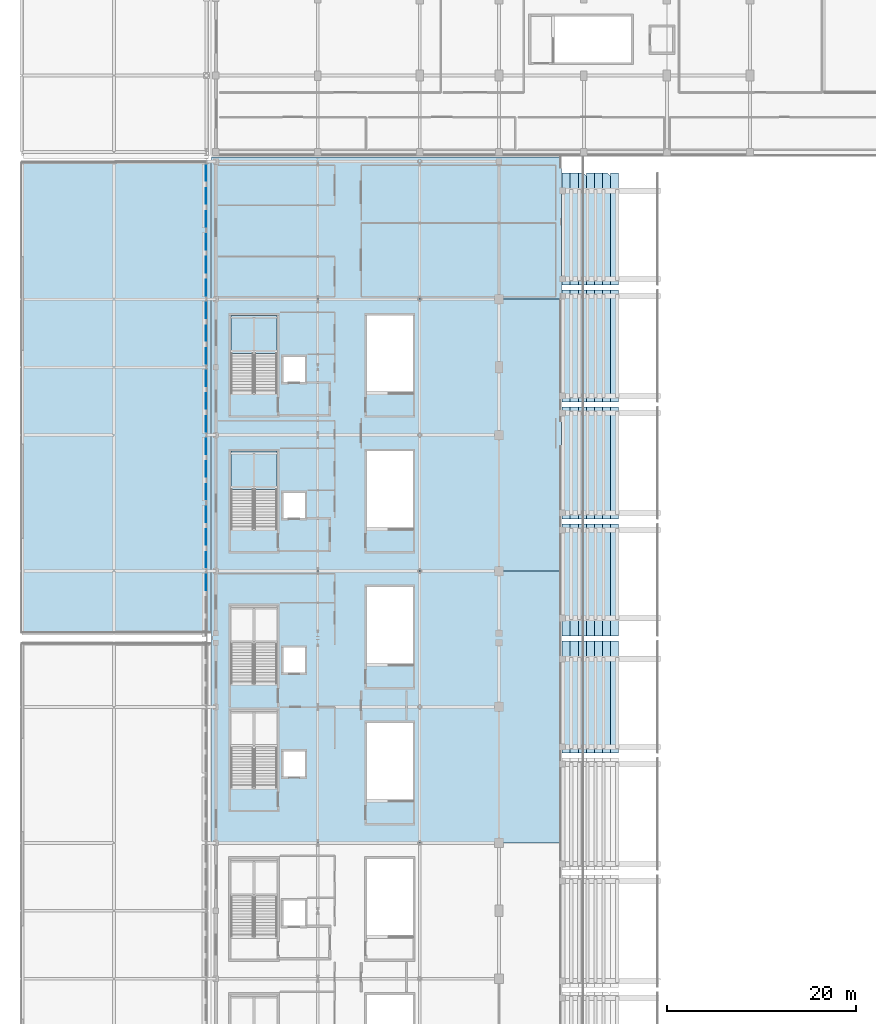
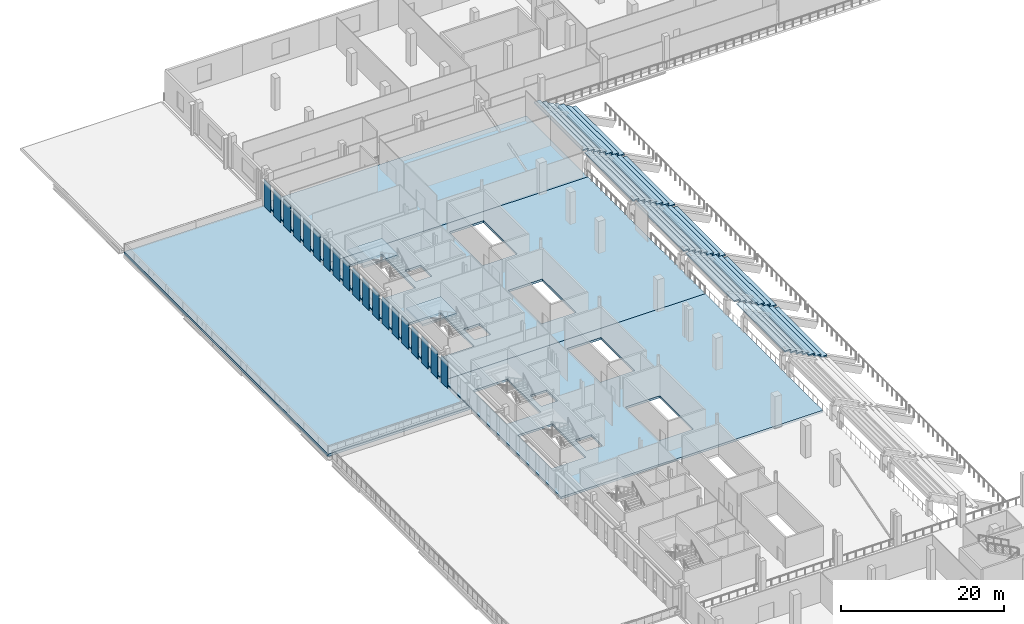
# One storey, part 23 of 74: 41 slabs, 19 plates, 2 elements without a shape of their own.
"""IFC4 building model written with IfcOpenShell, lengths in metres."""

from ifc_helpers import new_model, si_unit, direction, frame, origin, origin_2d, place, context, subcontext, project, spatial, polyline, rectangle, outline, extrude, material, layer, layer_set, type_object, element, aggregate, save


model = new_model("IFC4")

# Units and contexts
model_context = context("Model", 3, precision=1e-05, world=origin(), true_north=direction((0.0, 1.0)))
body_context = subcontext(model_context, "Body", "Model", "MODEL_VIEW")
ifc_project = project(units=[si_unit("LENGTHUNIT", "METRE"), si_unit("AREAUNIT", "SQUARE_METRE"), si_unit("VOLUMEUNIT", "CUBIC_METRE"), si_unit("PLANEANGLEUNIT", "RADIAN"), si_unit("MASSUNIT", "GRAM", prefix="KILO")], contexts=[model_context])

# Site, building, storey
site_placement = place(None, origin())
site = spatial("IfcSite", under=ifc_project, at=site_placement, CompositionType="ELEMENT")
building_placement = place(site_placement, origin())
building = spatial("IfcBuilding", under=site, at=building_placement, Name="Koshinbarg Plaza Stadium", CompositionType="ELEMENT")
storey_placement = place(building_placement, frame((0.0, 0.0, 15.0)))
storey = spatial("IfcBuildingStorey", under=building, at=storey_placement, Name="L03", CompositionType="ELEMENT", Elevation=15.0)

# Plates
ifc_material_1 = material(Name="Off-white mineral-coated perforated aluminium screen panel", Category="aluminium")
ifc_layer_1 = layer(ifc_material_1, 0.050048828125)
ifc_layer_set_1 = layer_set([ifc_layer_1], Name="Off-white mineral-coated perforated aluminium screen panel")
plate_type_1 = type_object("IfcPlateType", Name="PLT-SCR-50", PredefinedType="USERDEFINED", material=ifc_layer_set_1)
for number, where, z_axis, x_axis, name in (
    (1, (23.580078125, 81.89990234375, 0.2001953125), (0.0, 0.0, 1.0), (1.0, 0.0, 0.0), "L03 off-white leaf-pierced outer screen panel 024"),
    (2, (23.580078125, 86.699951171875, 0.2001953125), (0.0, 0.0, 1.0), (1.0, 0.0, 0.0), "L03 off-white leaf-pierced outer screen panel 026"),
    (3, (23.580078125, 91.5, 0.2001953125), (0.0, 0.0, 1.0), (1.0, 0.0, 0.0), "L03 off-white leaf-pierced outer screen panel 028"),
    (4, (23.580078125, 96.300048828125, 0.2001953125), (0.0, 0.0, 1.0), (1.0, 0.0, 0.0), "L03 off-white leaf-pierced outer screen panel 030"),
    (5, (23.580078125, 101.10009765625, 0.2001953125), (0.0, 0.0, 1.0), (1.0, 0.0, 0.0), "L03 off-white leaf-pierced outer screen panel 032"),
    (6, (23.580078125, 105.89990234375, 0.2001953125), (0.0, 0.0, 1.0), (1.0, 0.0, 0.0), "L03 off-white leaf-pierced outer screen panel 034"),
    (7, (23.580078125, 110.699951171875, 0.2001953125), (0.0, 0.0, 1.0), (1.0, 0.0, 0.0), "L03 off-white leaf-pierced outer screen panel 036"),
):
    element("IfcPlate", number, at=place(storey_placement, frame(where, z_axis=z_axis, x_axis=x_axis)), inside=storey, type_object=plate_type_1, Name=name, ObjectType="SCREEN PANEL", PredefinedType="USERDEFINED", context=body_context, shape_type="SweptSolid", body=[
        extrude(rectangle(XDim=0.050048828125, YDim=1.632080078125, at=origin_2d()), origin(), (0.0, 0.0, 1.0), 4.030029296875),
    ])
for number, where, z_axis, x_axis, name in (
    (8, (23.580078125, 115.550048828125, 0.2001953125), (0.0, 0.0, 1.0), (1.0, 0.0, 0.0), "L03 off-white leaf-pierced outer screen panel 038"),
    (9, (23.580078125, 120.416748046875, 0.2001953125), (0.0, 0.0, 1.0), (1.0, 0.0, 0.0), "L03 off-white leaf-pierced outer screen panel 040"),
    (10, (23.580078125, 125.283203125, 0.2001953125), (0.0, 0.0, 1.0), (1.0, 0.0, 0.0), "L03 off-white leaf-pierced outer screen panel 042"),
):
    element("IfcPlate", number, at=place(storey_placement, frame(where, z_axis=z_axis, x_axis=x_axis)), inside=storey, type_object=plate_type_1, Name=name, ObjectType="SCREEN PANEL", PredefinedType="USERDEFINED", context=body_context, shape_type="SweptSolid", body=[
        extrude(rectangle(XDim=0.050048828125, YDim=1.65478515625, at=origin_2d()), origin(), (0.0, 0.0, 1.0), 4.030029296875),
    ])
ifc_material_2 = material(Name="Off-white mineral-coated leaf-aperture GRC screen panel")
ifc_layer_2 = layer(ifc_material_2, 0.06005859375)
ifc_layer_set_2 = layer_set([ifc_layer_2], Name="Off-white mineral-coated leaf-aperture GRC screen panel")
plate_type_2 = type_object("IfcPlateType", Name="PLT-SCR-60", PredefinedType="USERDEFINED", material=ifc_layer_set_2)
for number, where, z_axis, x_axis, name in (
    (11, (23.574951171875, 84.300048828125, 0.2001953125), (0.0, 0.0, 1.0), (1.0, 0.0, 0.0), "L03 off-white leaf-pierced outer screen panel 025"),
    (12, (23.574951171875, 89.10009765625, 0.2001953125), (0.0, 0.0, 1.0), (1.0, 0.0, 0.0), "L03 off-white leaf-pierced outer screen panel 027"),
    (13, (23.574951171875, 93.89990234375, 0.2001953125), (0.0, 0.0, 1.0), (1.0, 0.0, 0.0), "L03 off-white leaf-pierced outer screen panel 029"),
    (14, (23.574951171875, 98.699951171875, 0.2001953125), (0.0, 0.0, 1.0), (1.0, 0.0, 0.0), "L03 off-white leaf-pierced outer screen panel 031"),
    (15, (23.574951171875, 103.5, 0.2001953125), (0.0, 0.0, 1.0), (1.0, 0.0, 0.0), "L03 off-white leaf-pierced outer screen panel 033"),
    (16, (23.574951171875, 108.300048828125, 0.2001953125), (0.0, 0.0, 1.0), (1.0, 0.0, 0.0), "L03 off-white leaf-pierced outer screen panel 035"),
):
    element("IfcPlate", number, at=place(storey_placement, frame(where, z_axis=z_axis, x_axis=x_axis)), inside=storey, type_object=plate_type_2, Name=name, ObjectType="SCREEN PANEL", PredefinedType="USERDEFINED", context=body_context, shape_type="SweptSolid", body=[
        extrude(rectangle(XDim=0.06005859375, YDim=1.632080078125, at=origin_2d()), origin(), (0.0, 0.0, 1.0), 4.030029296875),
    ])
for number, where, z_axis, x_axis, name in (
    (17, (23.574951171875, 113.11669921875, 0.2001953125), (0.0, 0.0, 1.0), (1.0, 0.0, 0.0), "L03 off-white leaf-pierced outer screen panel 037"),
    (18, (23.574951171875, 117.9833984375, 0.2001953125), (0.0, 0.0, 1.0), (1.0, 0.0, 0.0), "L03 off-white leaf-pierced outer screen panel 039"),
    (19, (23.574951171875, 122.85009765625, 0.2001953125), (0.0, 0.0, 1.0), (1.0, 0.0, 0.0), "L03 off-white leaf-pierced outer screen panel 041"),
):
    element("IfcPlate", number, at=place(storey_placement, frame(where, z_axis=z_axis, x_axis=x_axis)), inside=storey, type_object=plate_type_2, Name=name, ObjectType="SCREEN PANEL", PredefinedType="USERDEFINED", context=body_context, shape_type="SweptSolid", body=[
        extrude(rectangle(XDim=0.06005859375, YDim=1.65478515625, at=origin_2d()), origin(), (0.0, 0.0, 1.0), 4.030029296875),
    ])

# Slabs
ifc_material_3 = material(Name="Concrete C35/45", Category="concrete")
ifc_layer_3 = layer(ifc_material_3, 0.320068359375)
ifc_layer_set_3 = layer_set([ifc_layer_3], Name="Concrete C35/45")
slab_type_1 = type_object("IfcSlabType", Name="SL-FLR-320", PredefinedType="FLOOR", material=ifc_layer_set_3)
slab_1_placement = place(storey_placement, frame((0.0, 0.0, -0.320068359375)))
element("IfcSlab", 20, at=slab_1_placement, inside=storey, type_object=slab_type_1, Name="L03 V1 structural slab 2", PredefinedType="FLOOR", context=body_context, shape_type="SweptSolid", body=[
    extrude(outline(polyline([(24.14501953125, 54.300048828125), (61.199951171875, 54.300048828125), (61.199951171875, 83.10009765625), (24.14501953125, 83.10009765625), (24.14501953125, 54.300048828125)]), holes=[polyline([(31.070068359375, 60.159912109375), (31.070068359375, 68.39990234375), (26.199951171875, 68.39990234375), (26.199951171875, 60.159912109375), (31.070068359375, 60.159912109375)]), polyline([(31.75, 61.300048828125), (34.050048828125, 61.300048828125), (34.050048828125, 64.0), (31.75, 64.0), (31.75, 61.300048828125)]), polyline([(31.070068359375, 71.159912109375), (31.070068359375, 79.39990234375), (26.199951171875, 79.39990234375), (26.199951171875, 71.159912109375), (31.070068359375, 71.159912109375)]), polyline([(31.75, 72.300048828125), (34.050048828125, 72.300048828125), (34.050048828125, 75.0), (31.75, 75.0), (31.75, 72.300048828125)]), polyline([(45.469970703125, 58.760009765625), (45.469970703125, 67.0), (40.60009765625, 67.0), (40.60009765625, 58.760009765625), (45.469970703125, 58.760009765625)]), polyline([(45.469970703125, 73.159912109375), (45.469970703125, 81.39990234375), (40.60009765625, 81.39990234375), (40.60009765625, 73.159912109375), (45.469970703125, 73.159912109375)])]), origin(), (0.0, 0.0, 1.0), 0.320068359375),
])
slab_2_placement = place(storey_placement, frame((0.0, 0.0, -0.320068359375)))
element("IfcSlab", 21, at=slab_2_placement, inside=storey, type_object=slab_type_1, Name="L03 V1 structural slab 3", PredefinedType="FLOOR", context=body_context, shape_type="SweptSolid", body=[
    extrude(outline(polyline([(24.14501953125, 83.10009765625), (61.199951171875, 83.10009765625), (61.199951171875, 111.89990234375), (24.14501953125, 111.89990234375), (24.14501953125, 83.10009765625)]), holes=[polyline([(31.070068359375, 87.56005859375), (31.070068359375, 95.800048828125), (26.199951171875, 95.800048828125), (26.199951171875, 87.56005859375), (31.070068359375, 87.56005859375)]), polyline([(31.75, 88.699951171875), (34.050048828125, 88.699951171875), (34.050048828125, 91.39990234375), (31.75, 91.39990234375), (31.75, 88.699951171875)]), polyline([(31.070068359375, 101.9599609375), (31.070068359375, 110.199951171875), (26.199951171875, 110.199951171875), (26.199951171875, 101.9599609375), (31.070068359375, 101.9599609375)]), polyline([(31.75, 103.10009765625), (34.050048828125, 103.10009765625), (34.050048828125, 105.800048828125), (31.75, 105.800048828125), (31.75, 103.10009765625)]), polyline([(45.469970703125, 87.56005859375), (45.469970703125, 95.800048828125), (40.60009765625, 95.800048828125), (40.60009765625, 87.56005859375), (45.469970703125, 87.56005859375)]), polyline([(45.469970703125, 101.9599609375), (45.469970703125, 110.199951171875), (40.60009765625, 110.199951171875), (40.60009765625, 101.9599609375), (45.469970703125, 101.9599609375)])]), origin(), (0.0, 0.0, 1.0), 0.320068359375),
])
slab_3_placement = place(storey_placement, frame((0.0, 0.0, -0.320068359375)))
element("IfcSlab", 22, at=slab_3_placement, inside=storey, type_object=slab_type_1, Name="L03 V1 structural slab 4", PredefinedType="FLOOR", context=body_context, shape_type="SweptSolid", body=[
    extrude(outline(polyline([(24.14501953125, 111.89990234375), (61.199951171875, 111.89990234375), (61.199951171875, 126.955078125), (24.14501953125, 126.955078125), (24.14501953125, 111.89990234375)])), origin(), (0.0, 0.0, 1.0), 0.320068359375),
])
ifc_layer_4 = layer(ifc_material_3, 0.360107421875)
ifc_layer_set_4 = layer_set([ifc_layer_4], Name="Concrete C35/45")
slab_type_2 = type_object("IfcSlabType", Name="SL-RGARDEN-360", PredefinedType="ROOF", material=ifc_layer_set_4)
slab_4_placement = place(storey_placement, frame((0.0, 0.0, -0.360107421875)))
element("IfcSlab", 23, at=slab_4_placement, inside=storey, type_object=slab_type_2, Name="planted roof garden terrace RG-L03-NW", PredefinedType="ROOF", context=body_context, shape_type="SweptSolid", body=[
    extrude(outline(polyline([(4.0, 76.5), (24.054931640625, 76.5), (24.054931640625, 126.5), (4.0, 126.5), (4.0, 76.5)])), origin(), (0.0, 0.0, 1.0), 0.360107421875),
])

# Stair, slab
stair_type = type_object("IfcStairType", Name="ST-CORE-48", PredefinedType="HALF_TURN_STAIR", material=ifc_material_3)
stair_1_placement = place(storey_placement, origin())
stair_1 = element("IfcStair", 24, at=stair_1_placement, inside=storey, type_object=stair_type, Name="L03 Protected Exit Stair C05", PredefinedType="HALF_TURN_STAIR")
ifc_layer_5 = layer(ifc_material_3, 0.320068359375)
ifc_layer_set_5 = layer_set([ifc_layer_5], Name="Concrete C35/45")
slab_type_3 = type_object("IfcSlabType", Name="SL-STLAND-280", PredefinedType="LANDING", material=ifc_layer_set_5)
slab_5_placement = place(storey_placement, frame((0.0, 0.0, 2.080078125)))
slab_5 = element("IfcSlab", 25, at=slab_5_placement, type_object=slab_type_3, Name="L03 Protected Exit Stair C05 landing 028", PredefinedType="LANDING", context=body_context, shape_type="SweptSolid", body=[
    extrude(outline(polyline([(31.070068359375, 91.760009765625), (31.070068359375, 95.800048828125), (26.199951171875, 95.800048828125), (26.199951171875, 91.760009765625), (31.070068359375, 91.760009765625)])), origin(), (0.0, 0.0, 1.0), 0.31982421875),
])
aggregate(stair_1, [slab_5])

stair_2_placement = place(storey_placement, origin())
stair_2 = element("IfcStair", 26, at=stair_2_placement, inside=storey, type_object=stair_type, Name="L03 Protected Exit Stair C06", PredefinedType="HALF_TURN_STAIR")
slab_6_placement = place(storey_placement, frame((0.0, 0.0, 2.080078125)))
slab_6 = element("IfcSlab", 27, at=slab_6_placement, type_object=slab_type_3, Name="L03 Protected Exit Stair C06 landing 034", PredefinedType="LANDING", context=body_context, shape_type="SweptSolid", body=[
    extrude(outline(polyline([(31.070068359375, 106.159912109375), (31.070068359375, 110.199951171875), (26.199951171875, 110.199951171875), (26.199951171875, 106.159912109375), (31.070068359375, 106.159912109375)])), origin(), (0.0, 0.0, 1.0), 0.31982421875),
])
aggregate(stair_2, [slab_6])

# Slabs
ifc_material_4 = material(Name="Precast concrete C40/50", Category="concrete")
ifc_layer_6 = layer(ifc_material_4, 0.199951171875)
ifc_layer_set_6 = layer_set([ifc_layer_6], Name="Precast concrete C40/50")
slab_type_4 = type_object("IfcSlabType", Name="SL-TIER-UT", PredefinedType="USERDEFINED", material=ifc_layer_set_6)
slab_7_placement = place(storey_placement, frame((0.0, 0.0, 0.219970703125)))
element("IfcSlab", 28, at=slab_7_placement, inside=storey, type_object=slab_type_4, Name="Stand upper seating tier UT-W04 row 6", ObjectType="SEATING TIER", PredefinedType="USERDEFINED", context=body_context, shape_type="SweptSolid", body=[
    extrude(outline(polyline([(66.39990234375, 63.800048828125), (67.25, 63.800048828125), (67.25, 75.699951171875), (66.39990234375, 75.699951171875), (66.39990234375, 63.800048828125)])), origin(), (0.0, 0.0, 1.0), 0.199951171875),
])
slab_8_placement = place(storey_placement, frame((0.0, 0.0, 0.659912109375)))
element("IfcSlab", 29, at=slab_8_placement, inside=storey, type_object=slab_type_4, Name="Stand upper seating tier UT-W04 row 7", ObjectType="SEATING TIER", PredefinedType="USERDEFINED", context=body_context, shape_type="SweptSolid", body=[
    extrude(outline(polyline([(65.550048828125, 63.800048828125), (66.39990234375, 63.800048828125), (66.39990234375, 75.699951171875), (65.550048828125, 75.699951171875), (65.550048828125, 63.800048828125)])), origin(), (0.0, 0.0, 1.0), 0.2001953125),
])
slab_9_placement = place(storey_placement, frame((0.0, 0.0, 1.10009765625)))
element("IfcSlab", 30, at=slab_9_placement, inside=storey, type_object=slab_type_4, Name="Stand upper seating tier UT-W04 row 8", ObjectType="SEATING TIER", PredefinedType="USERDEFINED", context=body_context, shape_type="SweptSolid", body=[
    extrude(outline(polyline([(64.699951171875, 63.800048828125), (65.550048828125, 63.800048828125), (65.550048828125, 75.699951171875), (64.699951171875, 75.699951171875), (64.699951171875, 63.800048828125)])), origin(), (0.0, 0.0, 1.0), 0.199951171875),
])
slab_10_placement = place(storey_placement, frame((0.0, 0.0, 1.5400390625)))
element("IfcSlab", 31, at=slab_10_placement, inside=storey, type_object=slab_type_4, Name="Stand upper seating tier UT-W04 row 9", ObjectType="SEATING TIER", PredefinedType="USERDEFINED", context=body_context, shape_type="SweptSolid", body=[
    extrude(outline(polyline([(63.85009765625, 63.800048828125), (64.699951171875, 63.800048828125), (64.699951171875, 75.699951171875), (63.85009765625, 75.699951171875), (63.85009765625, 63.800048828125)])), origin(), (0.0, 0.0, 1.0), 0.199951171875),
])
slab_11_placement = place(storey_placement, frame((0.0, 0.0, 1.97998046875)))
element("IfcSlab", 32, at=slab_11_placement, inside=storey, type_object=slab_type_4, Name="Stand upper seating tier UT-W04 row 10", ObjectType="SEATING TIER", PredefinedType="USERDEFINED", context=body_context, shape_type="SweptSolid", body=[
    extrude(outline(polyline([(63.0, 63.800048828125), (63.85009765625, 63.800048828125), (63.85009765625, 75.699951171875), (63.0, 75.699951171875), (63.0, 63.800048828125)])), origin(), (0.0, 0.0, 1.0), 0.199951171875),
])
slab_12_placement = place(storey_placement, frame((0.0, 0.0, 2.419921875)))
element("IfcSlab", 33, at=slab_12_placement, inside=storey, type_object=slab_type_4, Name="Stand upper seating tier UT-W04 row 11", ObjectType="SEATING TIER", PredefinedType="USERDEFINED", context=body_context, shape_type="SweptSolid", body=[
    extrude(outline(polyline([(62.14990234375, 63.800048828125), (63.0, 63.800048828125), (63.0, 75.699951171875), (62.14990234375, 75.699951171875), (62.14990234375, 63.800048828125)])), origin(), (0.0, 0.0, 1.0), 0.2001953125),
])
slab_13_placement = place(storey_placement, frame((0.0, 0.0, 2.860107421875)))
element("IfcSlab", 34, at=slab_13_placement, inside=storey, type_object=slab_type_4, Name="Stand upper seating tier UT-W04 row 12", ObjectType="SEATING TIER", PredefinedType="USERDEFINED", context=body_context, shape_type="SweptSolid", body=[
    extrude(outline(polyline([(61.300048828125, 63.800048828125), (62.14990234375, 63.800048828125), (62.14990234375, 75.699951171875), (61.300048828125, 75.699951171875), (61.300048828125, 63.800048828125)])), origin(), (0.0, 0.0, 1.0), 0.199951171875),
])
slab_14_placement = place(storey_placement, frame((0.0, 0.0, 0.219970703125)))
element("IfcSlab", 35, at=slab_14_placement, inside=storey, type_object=slab_type_4, Name="Stand upper seating tier UT-W05 row 6", ObjectType="SEATING TIER", PredefinedType="USERDEFINED", context=body_context, shape_type="SweptSolid", body=[
    extrude(outline(polyline([(66.39990234375, 76.199951171875), (67.25, 76.199951171875), (67.25, 88.10009765625), (66.39990234375, 88.10009765625), (66.39990234375, 76.199951171875)])), origin(), (0.0, 0.0, 1.0), 0.199951171875),
])
slab_15_placement = place(storey_placement, frame((0.0, 0.0, 0.659912109375)))
element("IfcSlab", 36, at=slab_15_placement, inside=storey, type_object=slab_type_4, Name="Stand upper seating tier UT-W05 row 7", ObjectType="SEATING TIER", PredefinedType="USERDEFINED", context=body_context, shape_type="SweptSolid", body=[
    extrude(outline(polyline([(65.550048828125, 76.199951171875), (66.39990234375, 76.199951171875), (66.39990234375, 88.10009765625), (65.550048828125, 88.10009765625), (65.550048828125, 76.199951171875)])), origin(), (0.0, 0.0, 1.0), 0.2001953125),
])
slab_16_placement = place(storey_placement, frame((0.0, 0.0, 1.10009765625)))
element("IfcSlab", 37, at=slab_16_placement, inside=storey, type_object=slab_type_4, Name="Stand upper seating tier UT-W05 row 8", ObjectType="SEATING TIER", PredefinedType="USERDEFINED", context=body_context, shape_type="SweptSolid", body=[
    extrude(outline(polyline([(64.699951171875, 76.199951171875), (65.550048828125, 76.199951171875), (65.550048828125, 88.10009765625), (64.699951171875, 88.10009765625), (64.699951171875, 76.199951171875)])), origin(), (0.0, 0.0, 1.0), 0.199951171875),
])
slab_17_placement = place(storey_placement, frame((0.0, 0.0, 1.5400390625)))
element("IfcSlab", 38, at=slab_17_placement, inside=storey, type_object=slab_type_4, Name="Stand upper seating tier UT-W05 row 9", ObjectType="SEATING TIER", PredefinedType="USERDEFINED", context=body_context, shape_type="SweptSolid", body=[
    extrude(outline(polyline([(63.85009765625, 76.199951171875), (64.699951171875, 76.199951171875), (64.699951171875, 88.10009765625), (63.85009765625, 88.10009765625), (63.85009765625, 76.199951171875)])), origin(), (0.0, 0.0, 1.0), 0.199951171875),
])
slab_18_placement = place(storey_placement, frame((0.0, 0.0, 1.97998046875)))
element("IfcSlab", 39, at=slab_18_placement, inside=storey, type_object=slab_type_4, Name="Stand upper seating tier UT-W05 row 10", ObjectType="SEATING TIER", PredefinedType="USERDEFINED", context=body_context, shape_type="SweptSolid", body=[
    extrude(outline(polyline([(63.0, 76.199951171875), (63.85009765625, 76.199951171875), (63.85009765625, 88.10009765625), (63.0, 88.10009765625), (63.0, 76.199951171875)])), origin(), (0.0, 0.0, 1.0), 0.199951171875),
])
slab_19_placement = place(storey_placement, frame((0.0, 0.0, 2.419921875)))
element("IfcSlab", 40, at=slab_19_placement, inside=storey, type_object=slab_type_4, Name="Stand upper seating tier UT-W05 row 11", ObjectType="SEATING TIER", PredefinedType="USERDEFINED", context=body_context, shape_type="SweptSolid", body=[
    extrude(outline(polyline([(62.14990234375, 76.199951171875), (63.0, 76.199951171875), (63.0, 88.10009765625), (62.14990234375, 88.10009765625), (62.14990234375, 76.199951171875)])), origin(), (0.0, 0.0, 1.0), 0.2001953125),
])
slab_20_placement = place(storey_placement, frame((0.0, 0.0, 2.860107421875)))
element("IfcSlab", 41, at=slab_20_placement, inside=storey, type_object=slab_type_4, Name="Stand upper seating tier UT-W05 row 12", ObjectType="SEATING TIER", PredefinedType="USERDEFINED", context=body_context, shape_type="SweptSolid", body=[
    extrude(outline(polyline([(61.300048828125, 76.199951171875), (62.14990234375, 76.199951171875), (62.14990234375, 88.10009765625), (61.300048828125, 88.10009765625), (61.300048828125, 76.199951171875)])), origin(), (0.0, 0.0, 1.0), 0.199951171875),
])
slab_21_placement = place(storey_placement, frame((0.0, 0.0, 0.219970703125)))
element("IfcSlab", 42, at=slab_21_placement, inside=storey, type_object=slab_type_4, Name="Stand upper seating tier UT-W06 row 6", ObjectType="SEATING TIER", PredefinedType="USERDEFINED", context=body_context, shape_type="SweptSolid", body=[
    extrude(outline(polyline([(66.39990234375, 88.60009765625), (67.25, 88.60009765625), (67.25, 100.5), (66.39990234375, 100.5), (66.39990234375, 88.60009765625)])), origin(), (0.0, 0.0, 1.0), 0.199951171875),
])
slab_22_placement = place(storey_placement, frame((0.0, 0.0, 0.659912109375)))
element("IfcSlab", 43, at=slab_22_placement, inside=storey, type_object=slab_type_4, Name="Stand upper seating tier UT-W06 row 7", ObjectType="SEATING TIER", PredefinedType="USERDEFINED", context=body_context, shape_type="SweptSolid", body=[
    extrude(outline(polyline([(65.550048828125, 88.60009765625), (66.39990234375, 88.60009765625), (66.39990234375, 100.5), (65.550048828125, 100.5), (65.550048828125, 88.60009765625)])), origin(), (0.0, 0.0, 1.0), 0.2001953125),
])
slab_23_placement = place(storey_placement, frame((0.0, 0.0, 1.10009765625)))
element("IfcSlab", 44, at=slab_23_placement, inside=storey, type_object=slab_type_4, Name="Stand upper seating tier UT-W06 row 8", ObjectType="SEATING TIER", PredefinedType="USERDEFINED", context=body_context, shape_type="SweptSolid", body=[
    extrude(outline(polyline([(64.699951171875, 88.60009765625), (65.550048828125, 88.60009765625), (65.550048828125, 100.5), (64.699951171875, 100.5), (64.699951171875, 88.60009765625)])), origin(), (0.0, 0.0, 1.0), 0.199951171875),
])
slab_24_placement = place(storey_placement, frame((0.0, 0.0, 1.5400390625)))
element("IfcSlab", 45, at=slab_24_placement, inside=storey, type_object=slab_type_4, Name="Stand upper seating tier UT-W06 row 9", ObjectType="SEATING TIER", PredefinedType="USERDEFINED", context=body_context, shape_type="SweptSolid", body=[
    extrude(outline(polyline([(63.85009765625, 88.60009765625), (64.699951171875, 88.60009765625), (64.699951171875, 100.5), (63.85009765625, 100.5), (63.85009765625, 88.60009765625)])), origin(), (0.0, 0.0, 1.0), 0.199951171875),
])
slab_25_placement = place(storey_placement, frame((0.0, 0.0, 1.97998046875)))
element("IfcSlab", 46, at=slab_25_placement, inside=storey, type_object=slab_type_4, Name="Stand upper seating tier UT-W06 row 10", ObjectType="SEATING TIER", PredefinedType="USERDEFINED", context=body_context, shape_type="SweptSolid", body=[
    extrude(outline(polyline([(63.0, 88.60009765625), (63.85009765625, 88.60009765625), (63.85009765625, 100.5), (63.0, 100.5), (63.0, 88.60009765625)])), origin(), (0.0, 0.0, 1.0), 0.199951171875),
])
slab_26_placement = place(storey_placement, frame((0.0, 0.0, 2.419921875)))
element("IfcSlab", 47, at=slab_26_placement, inside=storey, type_object=slab_type_4, Name="Stand upper seating tier UT-W06 row 11", ObjectType="SEATING TIER", PredefinedType="USERDEFINED", context=body_context, shape_type="SweptSolid", body=[
    extrude(outline(polyline([(62.14990234375, 88.60009765625), (63.0, 88.60009765625), (63.0, 100.5), (62.14990234375, 100.5), (62.14990234375, 88.60009765625)])), origin(), (0.0, 0.0, 1.0), 0.2001953125),
])
slab_27_placement = place(storey_placement, frame((0.0, 0.0, 2.860107421875)))
element("IfcSlab", 48, at=slab_27_placement, inside=storey, type_object=slab_type_4, Name="Stand upper seating tier UT-W06 row 12", ObjectType="SEATING TIER", PredefinedType="USERDEFINED", context=body_context, shape_type="SweptSolid", body=[
    extrude(outline(polyline([(61.300048828125, 88.60009765625), (62.14990234375, 88.60009765625), (62.14990234375, 100.5), (61.300048828125, 100.5), (61.300048828125, 88.60009765625)])), origin(), (0.0, 0.0, 1.0), 0.199951171875),
])
slab_28_placement = place(storey_placement, frame((0.0, 0.0, 0.219970703125)))
element("IfcSlab", 49, at=slab_28_placement, inside=storey, type_object=slab_type_4, Name="Stand upper seating tier UT-W07 row 6", ObjectType="SEATING TIER", PredefinedType="USERDEFINED", context=body_context, shape_type="SweptSolid", body=[
    extrude(outline(polyline([(66.39990234375, 101.0), (67.25, 101.0), (67.25, 112.89990234375), (66.39990234375, 112.89990234375), (66.39990234375, 101.0)])), origin(), (0.0, 0.0, 1.0), 0.199951171875),
])
slab_29_placement = place(storey_placement, frame((0.0, 0.0, 0.659912109375)))
element("IfcSlab", 50, at=slab_29_placement, inside=storey, type_object=slab_type_4, Name="Stand upper seating tier UT-W07 row 7", ObjectType="SEATING TIER", PredefinedType="USERDEFINED", context=body_context, shape_type="SweptSolid", body=[
    extrude(outline(polyline([(65.550048828125, 101.0), (66.39990234375, 101.0), (66.39990234375, 112.89990234375), (65.550048828125, 112.89990234375), (65.550048828125, 101.0)])), origin(), (0.0, 0.0, 1.0), 0.2001953125),
])
slab_30_placement = place(storey_placement, frame((0.0, 0.0, 1.10009765625)))
element("IfcSlab", 51, at=slab_30_placement, inside=storey, type_object=slab_type_4, Name="Stand upper seating tier UT-W07 row 8", ObjectType="SEATING TIER", PredefinedType="USERDEFINED", context=body_context, shape_type="SweptSolid", body=[
    extrude(outline(polyline([(64.699951171875, 101.0), (65.550048828125, 101.0), (65.550048828125, 112.89990234375), (64.699951171875, 112.89990234375), (64.699951171875, 101.0)])), origin(), (0.0, 0.0, 1.0), 0.199951171875),
])
slab_31_placement = place(storey_placement, frame((0.0, 0.0, 1.5400390625)))
element("IfcSlab", 52, at=slab_31_placement, inside=storey, type_object=slab_type_4, Name="Stand upper seating tier UT-W07 row 9", ObjectType="SEATING TIER", PredefinedType="USERDEFINED", context=body_context, shape_type="SweptSolid", body=[
    extrude(outline(polyline([(63.85009765625, 101.0), (64.699951171875, 101.0), (64.699951171875, 112.89990234375), (63.85009765625, 112.89990234375), (63.85009765625, 101.0)])), origin(), (0.0, 0.0, 1.0), 0.199951171875),
])
slab_32_placement = place(storey_placement, frame((0.0, 0.0, 1.97998046875)))
element("IfcSlab", 53, at=slab_32_placement, inside=storey, type_object=slab_type_4, Name="Stand upper seating tier UT-W07 row 10", ObjectType="SEATING TIER", PredefinedType="USERDEFINED", context=body_context, shape_type="SweptSolid", body=[
    extrude(outline(polyline([(63.0, 101.0), (63.85009765625, 101.0), (63.85009765625, 112.89990234375), (63.0, 112.89990234375), (63.0, 101.0)])), origin(), (0.0, 0.0, 1.0), 0.199951171875),
])
slab_33_placement = place(storey_placement, frame((0.0, 0.0, 2.419921875)))
element("IfcSlab", 54, at=slab_33_placement, inside=storey, type_object=slab_type_4, Name="Stand upper seating tier UT-W07 row 11", ObjectType="SEATING TIER", PredefinedType="USERDEFINED", context=body_context, shape_type="SweptSolid", body=[
    extrude(outline(polyline([(62.14990234375, 101.0), (63.0, 101.0), (63.0, 112.89990234375), (62.14990234375, 112.89990234375), (62.14990234375, 101.0)])), origin(), (0.0, 0.0, 1.0), 0.2001953125),
])
slab_34_placement = place(storey_placement, frame((0.0, 0.0, 2.860107421875)))
element("IfcSlab", 55, at=slab_34_placement, inside=storey, type_object=slab_type_4, Name="Stand upper seating tier UT-W07 row 12", ObjectType="SEATING TIER", PredefinedType="USERDEFINED", context=body_context, shape_type="SweptSolid", body=[
    extrude(outline(polyline([(61.300048828125, 101.0), (62.14990234375, 101.0), (62.14990234375, 112.89990234375), (61.300048828125, 112.89990234375), (61.300048828125, 101.0)])), origin(), (0.0, 0.0, 1.0), 0.199951171875),
])
slab_35_placement = place(storey_placement, frame((0.0, 0.0, 0.219970703125)))
element("IfcSlab", 56, at=slab_35_placement, inside=storey, type_object=slab_type_4, Name="Stand upper seating tier UT-W08 row 6", ObjectType="SEATING TIER", PredefinedType="USERDEFINED", context=body_context, shape_type="SweptSolid", body=[
    extrude(outline(polyline([(66.39990234375, 113.39990234375), (67.25, 113.39990234375), (67.25, 125.300048828125), (66.39990234375, 125.300048828125), (66.39990234375, 113.39990234375)])), origin(), (0.0, 0.0, 1.0), 0.199951171875),
])
slab_36_placement = place(storey_placement, frame((0.0, 0.0, 0.659912109375)))
element("IfcSlab", 57, at=slab_36_placement, inside=storey, type_object=slab_type_4, Name="Stand upper seating tier UT-W08 row 7", ObjectType="SEATING TIER", PredefinedType="USERDEFINED", context=body_context, shape_type="SweptSolid", body=[
    extrude(outline(polyline([(65.550048828125, 113.39990234375), (66.39990234375, 113.39990234375), (66.39990234375, 124.949951171875), (66.050048828125, 125.300048828125), (65.550048828125, 125.300048828125), (65.550048828125, 113.39990234375)])), origin(), (0.0, 0.0, 1.0), 0.2001953125),
])
slab_37_placement = place(storey_placement, frame((0.0, 0.0, 1.10009765625)))
element("IfcSlab", 58, at=slab_37_placement, inside=storey, type_object=slab_type_4, Name="Stand upper seating tier UT-W08 row 8", ObjectType="SEATING TIER", PredefinedType="USERDEFINED", context=body_context, shape_type="SweptSolid", body=[
    extrude(outline(polyline([(64.699951171875, 113.39990234375), (65.550048828125, 113.39990234375), (65.550048828125, 125.300048828125), (64.699951171875, 125.300048828125), (64.699951171875, 113.39990234375)])), origin(), (0.0, 0.0, 1.0), 0.199951171875),
])
slab_38_placement = place(storey_placement, frame((0.0, 0.0, 1.5400390625)))
element("IfcSlab", 59, at=slab_38_placement, inside=storey, type_object=slab_type_4, Name="Stand upper seating tier UT-W08 row 9", ObjectType="SEATING TIER", PredefinedType="USERDEFINED", context=body_context, shape_type="SweptSolid", body=[
    extrude(outline(polyline([(63.85009765625, 113.39990234375), (64.699951171875, 113.39990234375), (64.699951171875, 125.300048828125), (63.85009765625, 125.300048828125), (63.85009765625, 113.39990234375)])), origin(), (0.0, 0.0, 1.0), 0.199951171875),
])
slab_39_placement = place(storey_placement, frame((0.0, 0.0, 1.97998046875)))
element("IfcSlab", 60, at=slab_39_placement, inside=storey, type_object=slab_type_4, Name="Stand upper seating tier UT-W08 row 10", ObjectType="SEATING TIER", PredefinedType="USERDEFINED", context=body_context, shape_type="SweptSolid", body=[
    extrude(outline(polyline([(63.0, 113.39990234375), (63.85009765625, 113.39990234375), (63.85009765625, 124.949951171875), (63.5, 125.300048828125), (63.0, 125.300048828125), (63.0, 113.39990234375)])), origin(), (0.0, 0.0, 1.0), 0.199951171875),
])
slab_40_placement = place(storey_placement, frame((0.0, 0.0, 2.419921875)))
element("IfcSlab", 61, at=slab_40_placement, inside=storey, type_object=slab_type_4, Name="Stand upper seating tier UT-W08 row 11", ObjectType="SEATING TIER", PredefinedType="USERDEFINED", context=body_context, shape_type="SweptSolid", body=[
    extrude(outline(polyline([(62.14990234375, 113.39990234375), (63.0, 113.39990234375), (63.0, 125.300048828125), (62.14990234375, 125.300048828125), (62.14990234375, 113.39990234375)])), origin(), (0.0, 0.0, 1.0), 0.2001953125),
])
slab_41_placement = place(storey_placement, frame((0.0, 0.0, 2.860107421875)))
element("IfcSlab", 62, at=slab_41_placement, inside=storey, type_object=slab_type_4, Name="Stand upper seating tier UT-W08 row 12", ObjectType="SEATING TIER", PredefinedType="USERDEFINED", context=body_context, shape_type="SweptSolid", body=[
    extrude(outline(polyline([(61.300048828125, 113.39990234375), (62.14990234375, 113.39990234375), (62.14990234375, 125.300048828125), (61.300048828125, 125.300048828125), (61.300048828125, 113.39990234375)])), origin(), (0.0, 0.0, 1.0), 0.199951171875),
])

save(model, "model.ifc")
